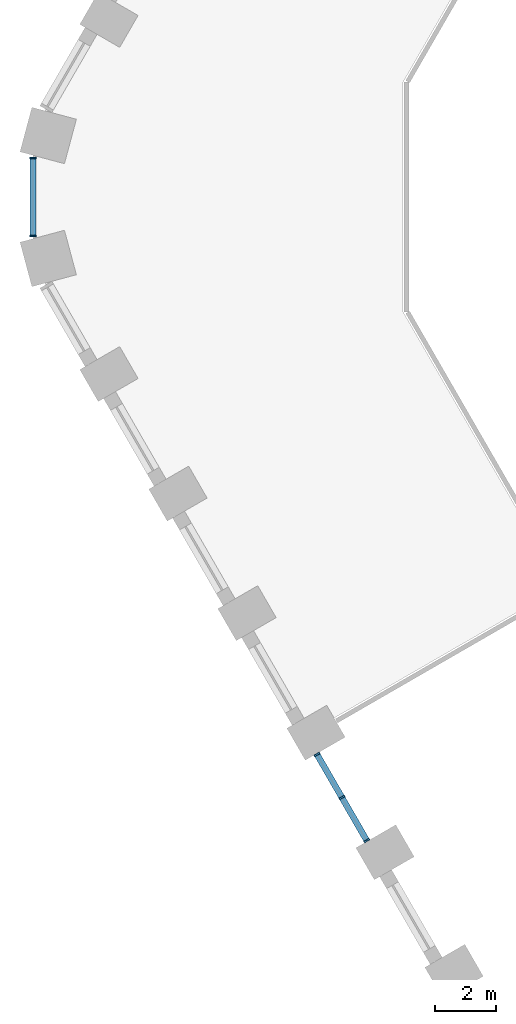
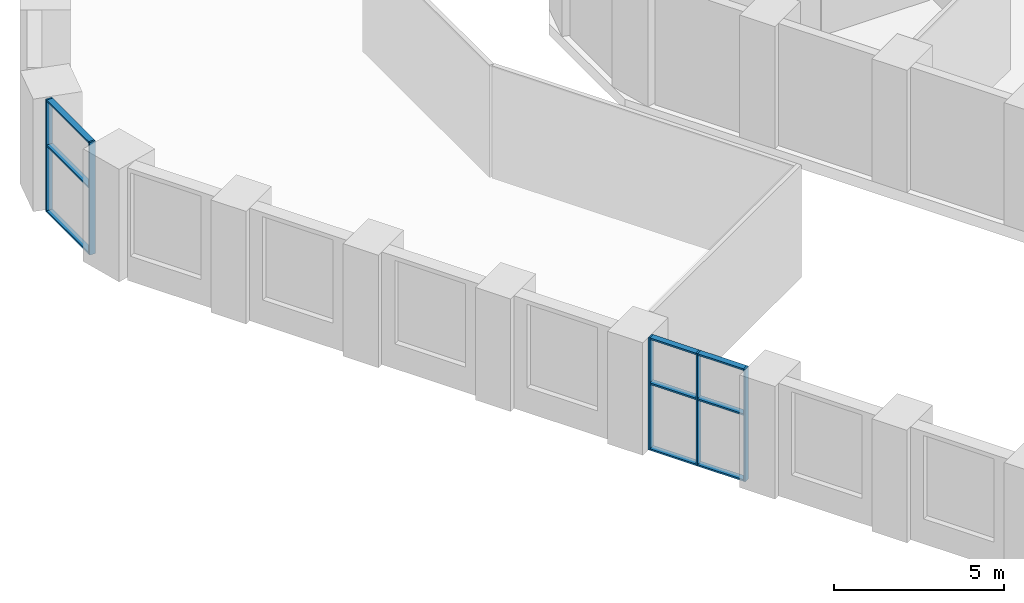
# One storey, part 3 of 42: 14 members, 2 elements without a shape of their own.
"""IFC4 building model written with IfcOpenShell, lengths in metres."""

from ifc_helpers import new_model, si_unit, direction, frame, origin, origin_2d, place, context, subcontext, project, spatial, rectangle, extrude, material, layer, layer_set, material_profile, profile_set, type_object, element, aggregate, save


model = new_model("IFC4")

# Units and contexts
model_context = context("Model", 3, precision=1e-05, world=origin(), true_north=direction((0.0, 1.0)))
body_context = subcontext(model_context, "Body", "Model", "MODEL_VIEW")
ifc_project = project(units=[si_unit("LENGTHUNIT", "METRE"), si_unit("AREAUNIT", "SQUARE_METRE"), si_unit("VOLUMEUNIT", "CUBIC_METRE"), si_unit("PLANEANGLEUNIT", "RADIAN"), si_unit("MASSUNIT", "GRAM", prefix="KILO")], contexts=[model_context])

# Site, building, storey
site_placement = place(None, origin())
site = spatial("IfcSite", under=ifc_project, at=site_placement, CompositionType="ELEMENT")
building_placement = place(site_placement, origin())
building = spatial("IfcBuilding", under=site, at=building_placement, Name="Dhurran Vertical Campus", CompositionType="ELEMENT")
storey_placement = place(building_placement, frame((0.0, 0.0, 6.0)))
storey = spatial("IfcBuildingStorey", under=building, at=storey_placement, Name="L01", CompositionType="ELEMENT", Elevation=6.0)

# Curtain wall, members
ifc_material_1 = material(Name="Aluminium frame with solar-control glass", Category="aluminium")
ifc_layer = layer(ifc_material_1, 0.199951171875)
ifc_layer_set = layer_set([ifc_layer], Name="Aluminium frame with solar-control glass")
curtain_wall_type = type_object("IfcCurtainWallType", Name="Entrance glazing system", PredefinedType="NOTDEFINED", material=ifc_layer_set)
curtain_wall_1_placement = place(storey_placement, origin())
curtain_wall_1 = element("IfcCurtainWall", 1, at=curtain_wall_1_placement, inside=storey, type_object=curtain_wall_type, Name="CW1 L01.63", PredefinedType="NOTDEFINED")
ifc_material_2 = material(Name="Aluminium mullion", Category="aluminium")
ifc_material_profile_1 = material_profile(ifc_material_2, rectangle(XDim=0.199951171875, YDim=0.06005859375, at=origin_2d()), Name="Entrance glazing system mullion")
ifc_profile_set_1 = profile_set([ifc_material_profile_1], Name="Aluminium mullion")
member_type_1 = type_object("IfcMemberType", Name="Entrance glazing system mullion", PredefinedType="MULLION", material=ifc_profile_set_1)
member_1_placement = place(storey_placement, frame((-57.47216796875, 1.26904296875, 0.0), z_axis=(0.0, 0.0, 1.0), x_axis=(1.0, 0.0, 0.0)))
member_1 = element("IfcMember", 2, at=member_1_placement, type_object=member_type_1, Name="CW1 mullion 1", PredefinedType="MULLION", context=body_context, shape_type="SweptSolid", body=[
    extrude(rectangle(XDim=0.199951171875, YDim=0.06005859375, at=origin_2d()), origin(), (0.0, 0.0, 1.0), 4.050048828125),
])
member_2_placement = place(storey_placement, frame((-57.47216796875, -1.26904296875, 0.0), z_axis=(0.0, 0.0, 1.0), x_axis=(1.0, 0.0, 0.0)))
member_2 = element("IfcMember", 3, at=member_2_placement, type_object=member_type_1, Name="CW1 mullion 2", PredefinedType="MULLION", context=body_context, shape_type="SweptSolid", body=[
    extrude(rectangle(XDim=0.199951171875, YDim=0.06005859375, at=origin_2d()), origin(), (0.0, 0.0, 1.0), 4.050048828125),
])

curtain_wall_2_placement = place(storey_placement, origin())
curtain_wall_2 = element("IfcCurtainWall", 4, at=curtain_wall_2_placement, inside=storey, type_object=curtain_wall_type, Name="CW1 L01.68", PredefinedType="NOTDEFINED")
member_3_placement = place(storey_placement, frame((-48.2138671875, -18.171875, 0.0), z_axis=(0.0, 0.0, 1.0), x_axis=(0.866024054345, 0.50000233729, 0.0)))
member_3 = element("IfcMember", 5, at=member_3_placement, type_object=member_type_1, Name="CW1 mullion 1", PredefinedType="MULLION", context=body_context, shape_type="SweptSolid", body=[
    extrude(rectangle(XDim=0.199951171875, YDim=0.06005859375, at=origin_2d()), origin(), (0.0, 0.0, 1.0), 4.050048828125),
])
member_4_placement = place(storey_placement, frame((-47.404052734375, -19.574462890625, 0.0), z_axis=(0.0, 0.0, 1.0), x_axis=(0.866024054345, 0.50000233729, 0.0)))
member_4 = element("IfcMember", 6, at=member_4_placement, type_object=member_type_1, Name="CW1 mullion 2", PredefinedType="MULLION", context=body_context, shape_type="SweptSolid", body=[
    extrude(rectangle(XDim=0.199951171875, YDim=0.06005859375, at=origin_2d()), origin(), (0.0, 0.0, 1.0), 4.050048828125),
])
member_5_placement = place(storey_placement, frame((-46.59423828125, -20.97705078125, 0.0), z_axis=(0.0, 0.0, 1.0), x_axis=(0.866024054345, 0.50000233729, 0.0)))
member_5 = element("IfcMember", 7, at=member_5_placement, type_object=member_type_1, Name="CW1 mullion 3", PredefinedType="MULLION", context=body_context, shape_type="SweptSolid", body=[
    extrude(rectangle(XDim=0.199951171875, YDim=0.06005859375, at=origin_2d()), origin(), (0.0, 0.0, 1.0), 4.050048828125),
])

# Member
ifc_material_3 = material(Name="Aluminium transom", Category="aluminium")
ifc_material_profile_2 = material_profile(ifc_material_3, rectangle(XDim=0.199951171875, YDim=0.06005859375, at=origin_2d()), Name="Entrance glazing system transom")
ifc_profile_set_2 = profile_set([ifc_material_profile_2], Name="Aluminium transom")
member_type_2 = type_object("IfcMemberType", Name="Entrance glazing system transom", PredefinedType="USERDEFINED", material=ifc_profile_set_2)
member_6_placement = place(storey_placement, frame((-57.47216796875, 1.239013671875, 0.030029296875), z_axis=(0.0, -1.0, 0.0), x_axis=(1.0, 0.0, 0.0)))
member_6 = element("IfcMember", 8, at=member_6_placement, type_object=member_type_2, Name="CW1 transom 1.1", ObjectType="TRANSOM", PredefinedType="USERDEFINED", context=body_context, shape_type="SweptSolid", body=[
    extrude(rectangle(XDim=0.199951171875, YDim=0.06005859375, at=origin_2d()), origin(), (0.0, 0.0, 1.0), 2.47802734375),
])

member_7_placement = place(storey_placement, frame((-57.47216796875, 1.239013671875, 2.39990234375), z_axis=(0.0, -1.0, 0.0), x_axis=(1.0, 0.0, 0.0)))
member_7 = element("IfcMember", 9, at=member_7_placement, type_object=member_type_2, Name="CW1 transom 1.2", ObjectType="TRANSOM", PredefinedType="USERDEFINED", context=body_context, shape_type="SweptSolid", body=[
    extrude(rectangle(XDim=0.199951171875, YDim=0.06005859375, at=origin_2d()), origin(), (0.0, 0.0, 1.0), 2.47802734375),
])

member_8_placement = place(storey_placement, frame((-57.47216796875, 1.239013671875, 4.02001953125), z_axis=(0.0, -1.0, 0.0), x_axis=(1.0, 0.0, 0.0)))
member_8 = element("IfcMember", 10, at=member_8_placement, type_object=member_type_2, Name="CW1 transom 1.3", ObjectType="TRANSOM", PredefinedType="USERDEFINED", context=body_context, shape_type="SweptSolid", body=[
    extrude(rectangle(XDim=0.199951171875, YDim=0.06005859375, at=origin_2d()), origin(), (0.0, 0.0, 1.0), 2.47802734375),
])

aggregate(curtain_wall_1, [member_1, member_2, member_6, member_7, member_8])

member_9_placement = place(storey_placement, frame((-48.19873046875, -18.197998046875, 0.030029296875), z_axis=(0.500011542666, -0.866018739521, 0.0), x_axis=(0.866018739521, 0.500011542666, 0.0)))
member_9 = element("IfcMember", 11, at=member_9_placement, type_object=member_type_2, Name="CW1 transom 1.1", ObjectType="TRANSOM", PredefinedType="USERDEFINED", context=body_context, shape_type="SweptSolid", body=[
    extrude(rectangle(XDim=0.199951171875, YDim=0.06005859375, at=origin_2d()), origin(), (0.0, 0.0, 1.0), 1.5595703125),
])

member_10_placement = place(storey_placement, frame((-48.19873046875, -18.197998046875, 2.39990234375), z_axis=(0.500011542666, -0.866018739521, 0.0), x_axis=(0.866018739521, 0.500011542666, 0.0)))
member_10 = element("IfcMember", 12, at=member_10_placement, type_object=member_type_2, Name="CW1 transom 1.2", ObjectType="TRANSOM", PredefinedType="USERDEFINED", context=body_context, shape_type="SweptSolid", body=[
    extrude(rectangle(XDim=0.199951171875, YDim=0.06005859375, at=origin_2d()), origin(), (0.0, 0.0, 1.0), 1.5595703125),
])

member_11_placement = place(storey_placement, frame((-48.19873046875, -18.197998046875, 4.02001953125), z_axis=(0.500011542666, -0.866018739521, 0.0), x_axis=(0.866018739521, 0.500011542666, 0.0)))
member_11 = element("IfcMember", 13, at=member_11_placement, type_object=member_type_2, Name="CW1 transom 1.3", ObjectType="TRANSOM", PredefinedType="USERDEFINED", context=body_context, shape_type="SweptSolid", body=[
    extrude(rectangle(XDim=0.199951171875, YDim=0.06005859375, at=origin_2d()), origin(), (0.0, 0.0, 1.0), 1.5595703125),
])

member_12_placement = place(storey_placement, frame((-47.38916015625, -19.6005859375, 0.030029296875), z_axis=(0.500079338265, -0.86597959297, 0.0), x_axis=(0.86597959297, 0.500079338265, 0.0)))
member_12 = element("IfcMember", 14, at=member_12_placement, type_object=member_type_2, Name="CW1 transom 2.1", ObjectType="TRANSOM", PredefinedType="USERDEFINED", context=body_context, shape_type="SweptSolid", body=[
    extrude(rectangle(XDim=0.199951171875, YDim=0.06005859375, at=origin_2d()), origin(), (0.0, 0.0, 1.0), 1.559326171875),
])

member_13_placement = place(storey_placement, frame((-47.38916015625, -19.6005859375, 2.39990234375), z_axis=(0.500079338265, -0.86597959297, 0.0), x_axis=(0.86597959297, 0.500079338265, 0.0)))
member_13 = element("IfcMember", 15, at=member_13_placement, type_object=member_type_2, Name="CW1 transom 2.2", ObjectType="TRANSOM", PredefinedType="USERDEFINED", context=body_context, shape_type="SweptSolid", body=[
    extrude(rectangle(XDim=0.199951171875, YDim=0.06005859375, at=origin_2d()), origin(), (0.0, 0.0, 1.0), 1.559326171875),
])

member_14_placement = place(storey_placement, frame((-47.38916015625, -19.6005859375, 4.02001953125), z_axis=(0.500079338265, -0.86597959297, 0.0), x_axis=(0.86597959297, 0.500079338265, 0.0)))
member_14 = element("IfcMember", 16, at=member_14_placement, type_object=member_type_2, Name="CW1 transom 2.3", ObjectType="TRANSOM", PredefinedType="USERDEFINED", context=body_context, shape_type="SweptSolid", body=[
    extrude(rectangle(XDim=0.199951171875, YDim=0.06005859375, at=origin_2d()), origin(), (0.0, 0.0, 1.0), 1.559326171875),
])

aggregate(curtain_wall_2, [member_3, member_4, member_5, member_9, member_10, member_11, member_12, member_13, member_14])

save(model, "model.ifc")
